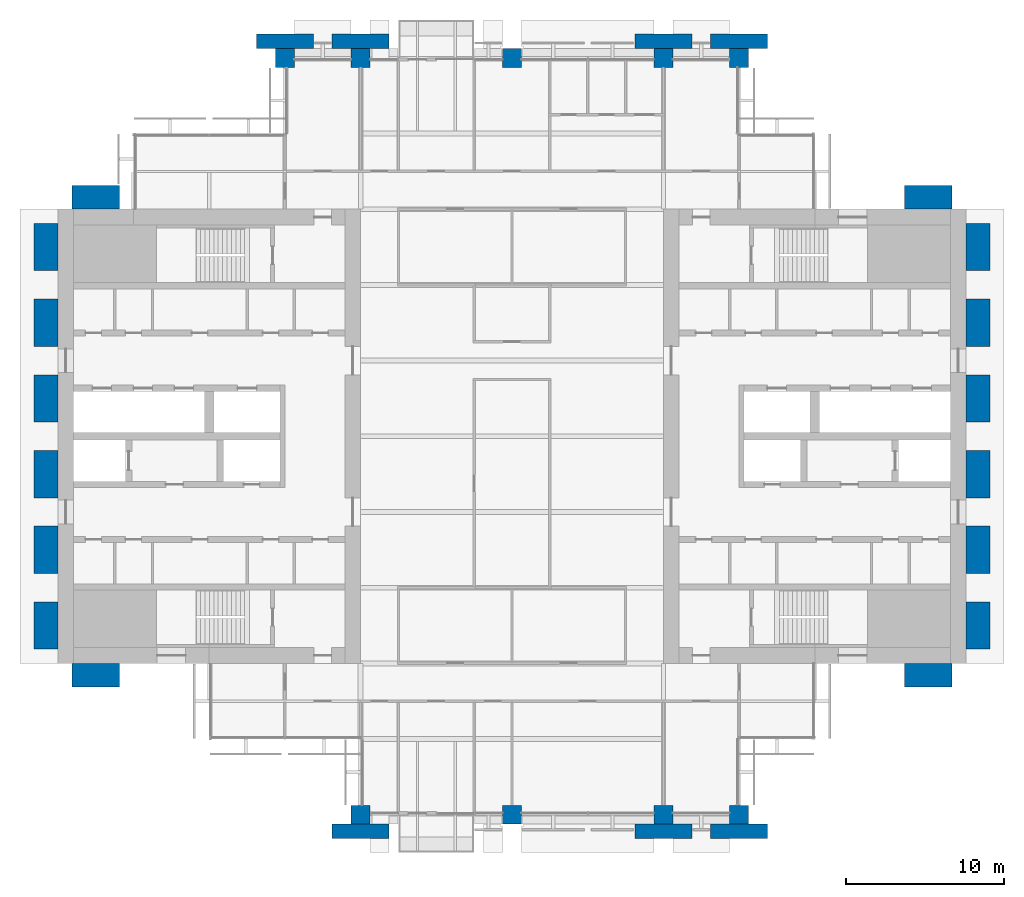
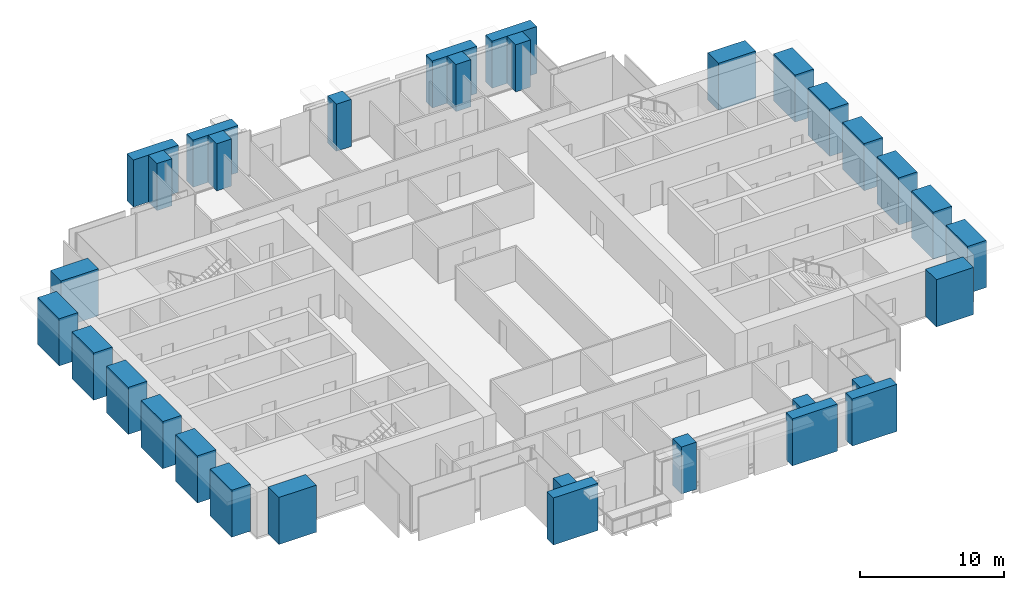
# One storey, part 1 of 15: 32 columns.
"""IFC4 building model written with IfcOpenShell, lengths in metres."""

from ifc_helpers import new_model, si_unit, direction, frame, origin, origin_2d, place, context, subcontext, project, spatial, rectangle, extrude, material, material_profile, profile_set, type_object, element, save


model = new_model("IFC4")

# Units and contexts
model_context = context("Model", 3, precision=1e-05, world=origin(), true_north=direction((0.0, 1.0)))
body_context = subcontext(model_context, "Body", "Model", "MODEL_VIEW")
ifc_project = project(units=[si_unit("LENGTHUNIT", "METRE"), si_unit("AREAUNIT", "SQUARE_METRE"), si_unit("VOLUMEUNIT", "CUBIC_METRE"), si_unit("PLANEANGLEUNIT", "RADIAN"), si_unit("MASSUNIT", "GRAM", prefix="KILO")], contexts=[model_context])

# Site, building, storey
site_placement = place(None, origin())
site = spatial("IfcSite", under=ifc_project, at=site_placement, CompositionType="ELEMENT")
building_placement = place(site_placement, origin())
building = spatial("IfcBuilding", under=site, at=building_placement, Name="Baori Bourse Tower", CompositionType="ELEMENT")
storey_placement = place(building_placement, frame((0.0, 0.0, 152.10009765625)))
storey = spatial("IfcBuildingStorey", under=building, at=storey_placement, Name="L33", CompositionType="ELEMENT", Elevation=152.10009765625)

# Columns
ifc_material_1 = material(Name="Concrete f'c 60 MPa", Category="concrete")
ifc_material_profile_1 = material_profile(ifc_material_1, rectangle(XDim=3.60009765625, YDim=0.89990234375, at=origin_2d()), Name="RC 3600x900")
ifc_profile_set_1 = profile_set([ifc_material_profile_1], Name="Concrete f'c 60 MPa")
column_type_1 = type_object("IfcColumnType", Name="FN3 Brick pilaster 3600x900", PredefinedType="PILASTER", material=ifc_profile_set_1)
for number, where, z_axis, x_axis, name in (
    (1, (19.199951171875, -1.050048828125, 0.0), (0.0, 0.0, 1.0), (1.0, 0.0, 0.0), "Brick pilaster L33 17"),
    (2, (38.39990234375, -1.050048828125, 0.0), (0.0, 0.0, 1.0), (1.0, 0.0, 0.0), "Brick pilaster L33 18"),
    (3, (43.199951171875, -1.050048828125, 0.0), (0.0, 0.0, 1.0), (1.0, 0.0, 0.0), "Brick pilaster L33 19"),
    (4, (14.39990234375, 49.050048828125, 0.0), (0.0, 0.0, 1.0), (1.0, 0.0, 0.0), "Brick pilaster L33 20"),
    (5, (19.199951171875, 49.050048828125, 0.0), (0.0, 0.0, 1.0), (1.0, 0.0, 0.0), "Brick pilaster L33 21"),
    (6, (38.39990234375, 49.050048828125, 0.0), (0.0, 0.0, 1.0), (1.0, 0.0, 0.0), "Brick pilaster L33 22"),
    (7, (43.199951171875, 49.050048828125, 0.0), (0.0, 0.0, 1.0), (1.0, 0.0, 0.0), "Brick pilaster L33 23"),
):
    element("IfcColumn", number, at=place(storey_placement, frame(where, z_axis=z_axis, x_axis=x_axis)), inside=storey, type_object=column_type_1, Name=name, PredefinedType="PILASTER", context=body_context, shape_type="SweptSolid", body=[
        extrude(rectangle(XDim=3.60009765625, YDim=0.89990234375, at=origin_2d()), origin(), (0.0, 0.0, 1.0), 4.0),
    ])
ifc_material_2 = material(Name="Concrete f'c 60 MPa", Category="concrete")
ifc_material_profile_2 = material_profile(ifc_material_2, rectangle(XDim=3.0, YDim=1.5, at=origin_2d()), Name="RC 3000x1500")
ifc_profile_set_2 = profile_set([ifc_material_profile_2], Name="Concrete f'c 60 MPa")
column_type_2 = type_object("IfcColumnType", Name="FN4 Brick flank pilaster 3000x1500", PredefinedType="PILASTER", material=ifc_profile_set_2)
for number, where, z_axis, x_axis, name in (
    (8, (55.199951171875, 8.85009765625, 0.0), (0.0, 0.0, 1.0), (1.0, 0.0, 0.0), "Brick pilaster L33 1"),
    (9, (58.35009765625, 12.0, 0.0), (0.0, 0.0, 1.0), (0.0, 1.0, 0.0), "Brick pilaster L33 2"),
    (10, (58.35009765625, 16.800048828125, 0.0), (0.0, 0.0, 1.0), (0.0, 1.0, 0.0), "Brick pilaster L33 3"),
    (11, (58.35009765625, 21.60009765625, 0.0), (0.0, 0.0, 1.0), (0.0, 1.0, 0.0), "Brick pilaster L33 4"),
    (12, (58.35009765625, 26.39990234375, 0.0), (0.0, 0.0, 1.0), (0.0, 1.0, 0.0), "Brick pilaster L33 5"),
    (13, (58.35009765625, 31.199951171875, 0.0), (0.0, 0.0, 1.0), (0.0, 1.0, 0.0), "Brick pilaster L33 6"),
    (14, (58.35009765625, 36.0, 0.0), (0.0, 0.0, 1.0), (0.0, 1.0, 0.0), "Brick pilaster L33 7"),
    (15, (55.199951171875, 39.14990234375, 0.0), (0.0, 0.0, 1.0), (1.0, 0.0, 0.0), "Brick pilaster L33 8"),
    (16, (2.39990234375, 39.14990234375, 0.0), (0.0, 0.0, 1.0), (1.0, 0.0, 0.0), "Brick pilaster L33 9"),
    (17, (-0.75, 12.0, 0.0), (0.0, 0.0, 1.0), (0.0, 1.0, 0.0), "Brick pilaster L33 10"),
    (18, (-0.75, 16.800048828125, 0.0), (0.0, 0.0, 1.0), (0.0, 1.0, 0.0), "Brick pilaster L33 11"),
    (19, (-0.75, 21.60009765625, 0.0), (0.0, 0.0, 1.0), (0.0, 1.0, 0.0), "Brick pilaster L33 12"),
    (20, (-0.75, 26.39990234375, 0.0), (0.0, 0.0, 1.0), (0.0, 1.0, 0.0), "Brick pilaster L33 13"),
    (21, (-0.75, 31.199951171875, 0.0), (0.0, 0.0, 1.0), (0.0, 1.0, 0.0), "Brick pilaster L33 14"),
    (22, (-0.75, 36.0, 0.0), (0.0, 0.0, 1.0), (0.0, 1.0, 0.0), "Brick pilaster L33 15"),
    (23, (2.39990234375, 8.85009765625, 0.0), (0.0, 0.0, 1.0), (1.0, 0.0, 0.0), "Brick pilaster L33 16"),
):
    element("IfcColumn", number, at=place(storey_placement, frame(where, z_axis=z_axis, x_axis=x_axis)), inside=storey, type_object=column_type_2, Name=name, PredefinedType="PILASTER", context=body_context, shape_type="SweptSolid", body=[
        extrude(rectangle(XDim=3.0, YDim=1.5, at=origin_2d()), origin(), (0.0, 0.0, 1.0), 4.0),
    ])
ifc_material_3 = material(Name="Concrete f'c 60 MPa", Category="concrete")
ifc_material_profile_3 = material_profile(ifc_material_3, rectangle(XDim=1.199951171875, YDim=1.199951171875, at=origin_2d()), Name="RC 1200x1200")
ifc_profile_set_3 = profile_set([ifc_material_profile_3], Name="Concrete f'c 60 MPa")
column_type_3 = type_object("IfcColumnType", Name="Perimeter column 60 RC 1200x1200", PredefinedType="COLUMN", material=ifc_profile_set_3)
for number, where, z_axis, x_axis, name in (
    (24, (19.199951171875, 0.0, 0.0), (0.0, 0.0, 1.0), (1.0, 0.0, 0.0), "Perimeter column L33"),
    (25, (28.800048828125, 0.0, 0.0), (0.0, 0.0, 1.0), (1.0, 0.0, 0.0), "Perimeter column L33"),
    (26, (38.39990234375, 0.0, 0.0), (0.0, 0.0, 1.0), (1.0, 0.0, 0.0), "Perimeter column L33"),
    (27, (43.199951171875, 0.0, 0.0), (0.0, 0.0, 1.0), (1.0, 0.0, 0.0), "Perimeter column L33"),
    (28, (14.39990234375, 48.0, 0.0), (0.0, 0.0, 1.0), (1.0, 0.0, 0.0), "Perimeter column L33"),
    (29, (19.199951171875, 48.0, 0.0), (0.0, 0.0, 1.0), (1.0, 0.0, 0.0), "Perimeter column L33"),
    (30, (28.800048828125, 48.0, 0.0), (0.0, 0.0, 1.0), (1.0, 0.0, 0.0), "Perimeter column L33"),
    (31, (38.39990234375, 48.0, 0.0), (0.0, 0.0, 1.0), (1.0, 0.0, 0.0), "Perimeter column L33"),
    (32, (43.199951171875, 48.0, 0.0), (0.0, 0.0, 1.0), (1.0, 0.0, 0.0), "Perimeter column L33"),
):
    element("IfcColumn", number, at=place(storey_placement, frame(where, z_axis=z_axis, x_axis=x_axis)), inside=storey, type_object=column_type_3, Name=name, PredefinedType="COLUMN", context=body_context, shape_type="SweptSolid", body=[
        extrude(rectangle(XDim=1.199951171875, YDim=1.199951171875, at=origin_2d()), origin(), (0.0, 0.0, 1.0), 4.0),
    ])

save(model, "model.ifc")
